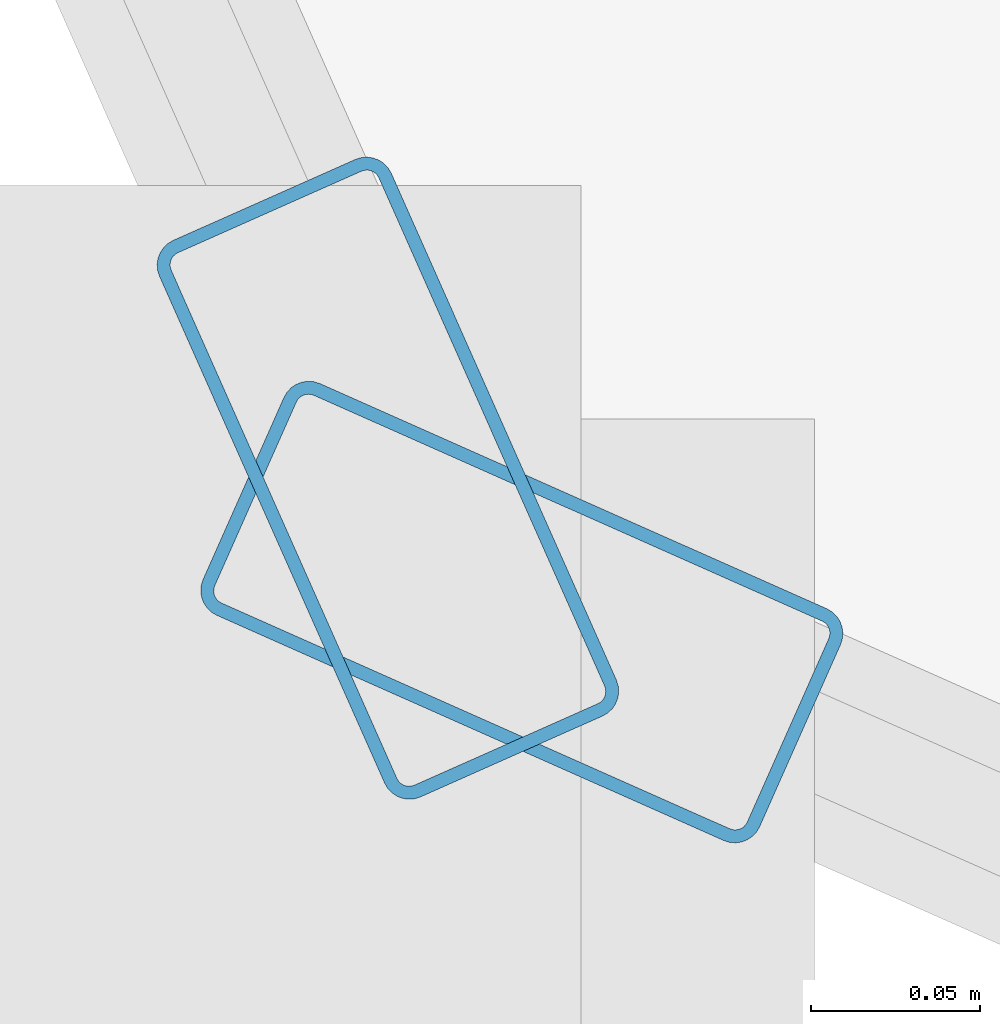
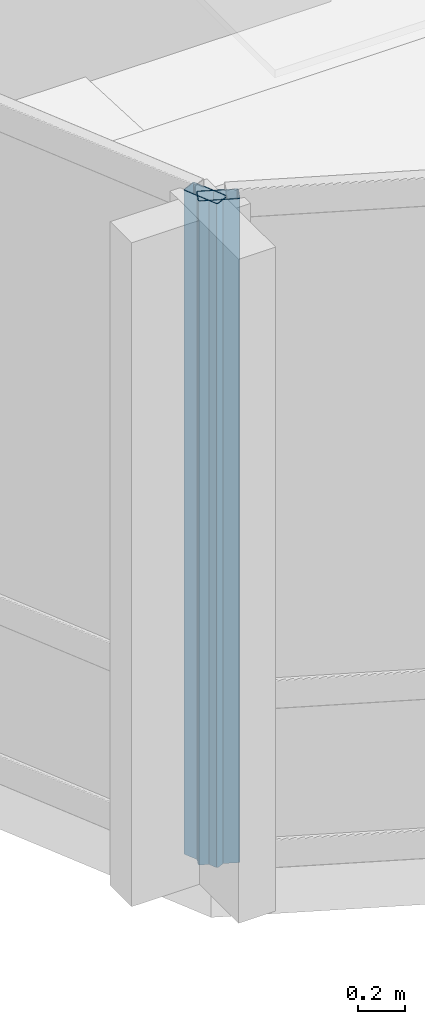
# One storey, part 2 of 29: 2 members, 2 elements without a shape of their own.
"""IFC4 building model written with IfcOpenShell, lengths in metres."""

from ifc_helpers import new_model, si_unit, direction, frame, origin, origin_2d, place, context, subcontext, project, spatial, hollow_rectangle, extrude, material, layer, layer_set, material_profile, profile_set, type_object, element, aggregate, save


model = new_model("IFC4")

# Units and contexts
model_context = context("Model", 3, precision=1e-05, world=origin(), true_north=direction((0.0, 1.0)))
body_context = subcontext(model_context, "Body", "Model", "MODEL_VIEW")
ifc_project = project(units=[si_unit("LENGTHUNIT", "METRE"), si_unit("AREAUNIT", "SQUARE_METRE"), si_unit("VOLUMEUNIT", "CUBIC_METRE"), si_unit("PLANEANGLEUNIT", "RADIAN"), si_unit("MASSUNIT", "GRAM", prefix="KILO")], contexts=[model_context])

# Site, building, storey
site_placement = place(None, origin())
site = spatial("IfcSite", under=ifc_project, at=site_placement, CompositionType="ELEMENT")
building_placement = place(site_placement, origin())
building = spatial("IfcBuilding", under=site, at=building_placement, Name="Solvaryn Broadcast Tower", CompositionType="ELEMENT")
storey_placement = place(building_placement, frame((0.0, 0.0, 143.300048828125)))
storey = spatial("IfcBuildingStorey", under=building, at=storey_placement, Name="L35", CompositionType="ELEMENT", Elevation=143.300048828125)

# Curtain wall, member
ifc_material_1 = material(Name="Aluminium and Terracotta Unitised Curtain Wall", Category="masonry")
ifc_layer = layer(ifc_material_1, 0.199951171875)
ifc_layer_set = layer_set([ifc_layer], Name="CW-SYS2-LOWMID")
curtain_wall_type = type_object("IfcCurtainWallType", Name="CW-SYS2-LOWMID", PredefinedType="NOTDEFINED", material=ifc_layer_set)
curtain_wall_1_placement = place(storey_placement, origin())
curtain_wall_1 = element("IfcCurtainWall", 1, at=curtain_wall_1_placement, inside=storey, type_object=curtain_wall_type, Name="L35 Curtain Wall DR2", PredefinedType="NOTDEFINED")
ifc_material_2 = material(Name="Anodised Aluminium 6063-T6", Category="aluminium")
ifc_material_profile = material_profile(ifc_material_2, hollow_rectangle(XDim=0.074951171875, YDim=0.179931640625, WallThickness=0.00390625, InnerFilletRadius=0.00390625, OuterFilletRadius=0.008056640625, at=origin_2d()))
ifc_profile_set = profile_set([ifc_material_profile], Name="Anodised Aluminium 6063-T6")
member_type = type_object("IfcMemberType", Name="CW-MUL-180", PredefinedType="MULLION", material=ifc_profile_set)
member_1_placement = place(storey_placement, frame((8.895751953125, 8.935302734375, 0.0), z_axis=(0.0, 0.0, 1.0), x_axis=(0.913909311008, 0.405918429309, 0.0)))
member_1 = element("IfcMember", 2, at=member_1_placement, type_object=member_type, Name="CWS2 mullion 2", PredefinedType="MULLION", context=body_context, shape_type="SweptSolid", body=[
    extrude(hollow_rectangle(XDim=0.074951171875, YDim=0.179931640625, WallThickness=0.00390625, InnerFilletRadius=0.00390625, OuterFilletRadius=0.008056640625, at=origin_2d()), origin(), (0.0, 0.0, 1.0), 3.419921875),
])
aggregate(curtain_wall_1, [member_1])

curtain_wall_2_placement = place(storey_placement, origin())
curtain_wall_2 = element("IfcCurtainWall", 3, at=curtain_wall_2_placement, inside=storey, type_object=curtain_wall_type, Name="L35 Curtain Wall DR3", PredefinedType="NOTDEFINED")
member_2_placement = place(storey_placement, frame((8.935302734375, 8.895751953125, 0.0), z_axis=(0.0, 0.0, 1.0), x_axis=(0.405918429309, 0.913909311008, 0.0)))
member_2 = element("IfcMember", 4, at=member_2_placement, type_object=member_type, Name="CWS2 mullion 1", PredefinedType="MULLION", context=body_context, shape_type="SweptSolid", body=[
    extrude(hollow_rectangle(XDim=0.074951171875, YDim=0.179931640625, WallThickness=0.00390625, InnerFilletRadius=0.00390625, OuterFilletRadius=0.008056640625, at=origin_2d()), origin(), (0.0, 0.0, 1.0), 3.419921875),
])
aggregate(curtain_wall_2, [member_2])

save(model, "model.ifc")
